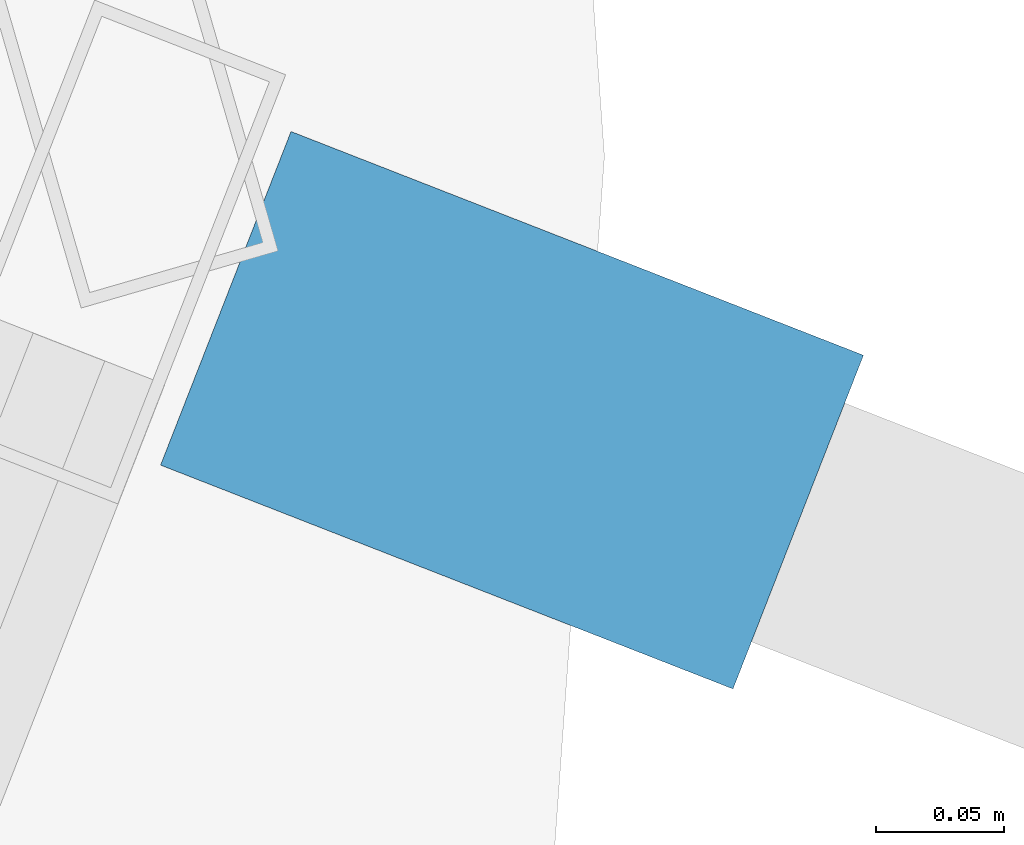
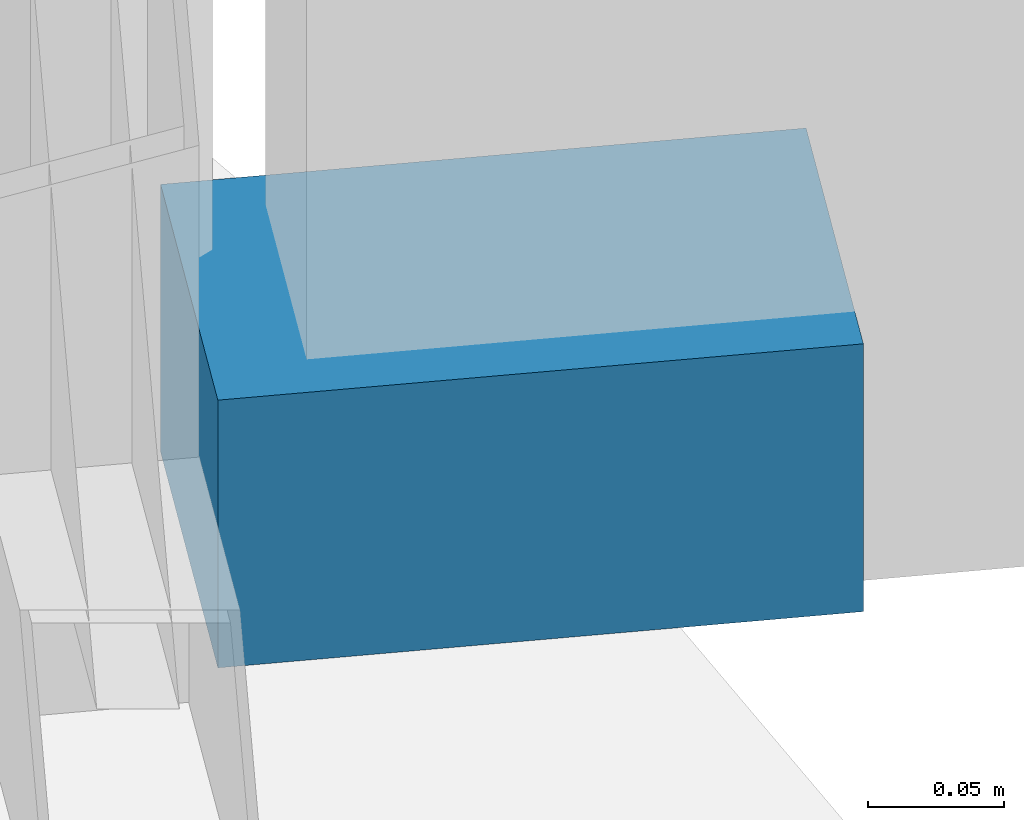
# One storey, part 30 of 34: 1 discrete accessory.
"""IFC4 building model written with IfcOpenShell, lengths in metres."""

import ifcopenshell
import ifcopenshell.guid

model = None  # the IFC model being written
_history = None  # IfcOwnerHistory: only IFC2X3 demands one
_inside = {}  # id of a spatial element -> (the spatial element, [elements in it])
_under = {}  # id of a project, library or spatial element -> (it, [spatial elements below it])
_declared = {}  # id of a project -> (the project, [libraries it declares])
_typed = {}  # id of a type object -> (the type object, [elements of that type])
_made_of = {}  # id of a material, layer set ... -> (it, [elements and type objects made of it])


def new_model(schema):
    """Start an empty IFC model of exactly this schema.

    Asked for "IFC4X3", IfcOpenShell would pick the latest addendum, in which some entities
    have other attributes; the version numbers below select the first issue.
    IFC2X3 requires an IfcOwnerHistory on every rooted entity: one is made here for all.
    """
    global model, _history
    if schema == "IFC4X3":
        model = ifcopenshell.file(schema_version=(4, 3, 0, 0))
    else:
        model = ifcopenshell.file(schema=schema)
    _inside.clear()
    _under.clear()
    _declared.clear()
    _typed.clear()
    _made_of.clear()
    _history = None
    if model.schema == "IFC2X3":
        org = make("IfcOrganization", Name="unknown")
        user = make(
            "IfcPersonAndOrganization",
            ThePerson=make("IfcPerson", FamilyName="unknown"),
            TheOrganization=org,
        )
        app = make(
            "IfcApplication",
            ApplicationDeveloper=org,
            Version="unknown",
            ApplicationFullName="unknown",
            ApplicationIdentifier="unknown",
        )
        _history = make(
            "IfcOwnerHistory",
            OwningUser=user,
            OwningApplication=app,
            ChangeAction="ADDED",
            CreationDate=0,
        )
    return model


def make(cls, **values):
    """One entity of the class cls with the attributes given. An attribute that is None is left unset."""
    return model.create_entity(
        cls, **{name: value for name, value in values.items() if value is not None}
    )


def rooted(cls, **values):
    """An entity with a GlobalId (a new one), such as an element, a storey or a relation."""
    return make(cls, GlobalId=ifcopenshell.guid.new(), OwnerHistory=_history, **values)


def si_unit(unit_type, name, prefix=None):
    """IfcSIUnit, for example si_unit("LENGTHUNIT", "METRE", prefix="MILLI")."""
    return make("IfcSIUnit", UnitType=unit_type, Prefix=prefix, Name=name)


def assignment(units):
    """IfcUnitAssignment: the units of a project."""
    return None if units is None else make("IfcUnitAssignment", Units=units)


def point(xyz):
    """IfcCartesianPoint."""
    return None if xyz is None else make("IfcCartesianPoint", Coordinates=xyz)


def direction(xyz):
    """IfcDirection."""
    return None if xyz is None else make("IfcDirection", DirectionRatios=xyz)


def frame(location, z_axis=None, x_axis=None):
    """IfcAxis2Placement3D, a coordinate frame: its origin and axes. An axis left out is left unset."""
    return make(
        "IfcAxis2Placement3D",
        Location=point(location),
        Axis=direction(z_axis),
        RefDirection=direction(x_axis),
    )


def frame_2d(location, x_axis=None):
    """IfcAxis2Placement2D, a coordinate frame in the plane: its origin and x axis."""
    return make(
        "IfcAxis2Placement2D", Location=point(location), RefDirection=direction(x_axis)
    )


def origin():
    """The frame at (0, 0, 0) with its axes left unset."""
    return frame((0.0, 0.0, 0.0))


def origin_2d():
    """The frame at (0, 0) in the plane with its x axis left unset."""
    return frame_2d((0.0, 0.0))


def place(relative_to, where):
    """IfcLocalPlacement: puts the frame where relative to a parent placement (None: the world)."""
    return make(
        "IfcLocalPlacement", PlacementRelTo=relative_to, RelativePlacement=where
    )


def context(
    kind, dimensions, precision=None, world=None, true_north=None, identifier=None
):
    """IfcGeometricRepresentationContext, for example the 3D "Model" context."""
    return make(
        "IfcGeometricRepresentationContext",
        ContextIdentifier=identifier,
        ContextType=kind,
        CoordinateSpaceDimension=dimensions,
        Precision=precision,
        WorldCoordinateSystem=world,
        TrueNorth=true_north,
    )


def subcontext(parent, identifier, kind, view, scale=None):
    """IfcGeometricRepresentationSubContext, for example "Body" below "Model"."""
    return make(
        "IfcGeometricRepresentationSubContext",
        ContextIdentifier=identifier,
        ContextType=kind,
        ParentContext=parent,
        TargetScale=scale,
        TargetView=view,
    )


def project(units=None, contexts=None):
    """IfcProject with its units and contexts."""
    return rooted(
        "IfcProject",
        Name="project",
        RepresentationContexts=contexts,
        UnitsInContext=assignment(units),
    )


def spatial(cls, under=None, at=None, **own):
    """A site, building, storey or space (cls), placed at a placement, below another one or the project."""
    s = rooted(cls, ObjectPlacement=at, **own)
    if under is not None:
        _under.setdefault(under.id(), (under, []))[1].append(s)
    return s


def profile(cls, at=None, kind="AREA", **sizes):
    """A parametric profile (cls). Its sizes go by their IFC names, for example OverallWidth=200.0."""
    return make(cls, ProfileType=kind, Position=at, **sizes)


def rectangle(**sizes):
    """IfcRectangleProfileDef."""
    return profile("IfcRectangleProfileDef", **sizes)


def extrude(swept, where, along, depth):
    """IfcExtrudedAreaSolid: the profile swept, set in the frame where, extruded along a direction by depth."""
    return make(
        "IfcExtrudedAreaSolid",
        SweptArea=swept,
        Position=where,
        ExtrudedDirection=direction(along),
        Depth=depth,
    )


def shape(context_of_items, identifier, shape_type, items):
    """IfcShapeRepresentation: the items that make up one representation, for example the "Body"."""
    return make(
        "IfcShapeRepresentation",
        ContextOfItems=context_of_items,
        RepresentationIdentifier=identifier,
        RepresentationType=shape_type,
        Items=items,
    )


def material(Name=None, Category=None):
    """IfcMaterial."""
    return make("IfcMaterial", Name=Name, Category=Category)


def made_of(thing, what):
    """Note that an element or type object is made of a material, layer set ...; save() writes the relation."""
    if what is not None:
        _made_of.setdefault(what.id(), (what, []))[1].append(thing)
    return thing


def type_object(cls, material=None, **own):
    """A type object (cls), such as IfcWallType, which elements share."""
    return made_of(rooted(cls, **own), material)


def element(
    cls,
    number,
    at=None,
    inside=None,
    cuts=None,
    type_object=None,
    material=None,
    context=None,
    identifier="Body",
    shape_type=None,
    held_by="IfcProductDefinitionShape",
    body=None,
    shapes=None,
    **own,
):
    """One element of the class cls, such as IfcWall. Its Tag is "e" and its number.

    at: its placement. inside: the storey or other place that contains it. cuts: it is an
    opening in that element (IfcRelVoidsElement). A single representation is given by context,
    identifier, shape_type and body (its items); several are given by shapes. held_by: the class
    of the entity that holds the representations. save() writes the other relations.
    """
    e = rooted(cls, Tag="e%d" % number, ObjectPlacement=at, **own)
    if body is not None:
        shapes = [shape(context, identifier, shape_type, body)]
    if shapes is not None:
        e.Representation = make(held_by, Representations=shapes)
    if inside is not None:
        _inside.setdefault(inside.id(), (inside, []))[1].append(e)
    if cuts is not None:
        rooted(
            "IfcRelVoidsElement", RelatingBuildingElement=cuts, RelatedOpeningElement=e
        )
    if type_object is not None:
        _typed.setdefault(type_object.id(), (type_object, []))[1].append(e)
    return made_of(e, material)


def aggregate(whole, parts):
    """IfcRelAggregates: a whole, such as a stair, and the parts it consists of."""
    return rooted("IfcRelAggregates", RelatingObject=whole, RelatedObjects=parts)


def save(model, path):
    """Write the relations noted so far, then the file.

    IfcRelAggregates (storeys below a building ...), IfcRelContainedInSpatialStructure (elements
    in a storey), IfcRelDefinesByType, IfcRelAssociatesMaterial and IfcRelDeclares: one each for
    every whole, place, type object, material and project.
    """
    for whole, parts in _under.values():
        aggregate(whole, parts)
    for where, things in _inside.values():
        rooted(
            "IfcRelContainedInSpatialStructure",
            RelatedElements=things,
            RelatingStructure=where,
        )
    for kind, things in _typed.values():
        rooted("IfcRelDefinesByType", RelatedObjects=things, RelatingType=kind)
    for what, things in _made_of.values():
        rooted("IfcRelAssociatesMaterial", RelatedObjects=things, RelatingMaterial=what)
    for by, libraries in _declared.values():
        rooted("IfcRelDeclares", RelatingContext=by, RelatedDefinitions=libraries)
    model.write(path)


model = new_model("IFC4")

# Units and contexts
model_context = context("Model", 3, precision=1e-05, world=origin(), true_north=direction((0.0, 1.0)))
body_context = subcontext(model_context, "Body", "Model", "MODEL_VIEW")
ifc_project = project(units=[si_unit("LENGTHUNIT", "METRE"), si_unit("AREAUNIT", "SQUARE_METRE"), si_unit("VOLUMEUNIT", "CUBIC_METRE"), si_unit("PLANEANGLEUNIT", "RADIAN"), si_unit("MASSUNIT", "GRAM", prefix="KILO")], contexts=[model_context])

# Site, building, storey
site_placement = place(None, origin())
site = spatial("IfcSite", under=ifc_project, at=site_placement, CompositionType="ELEMENT")
building_placement = place(site_placement, origin())
building = spatial("IfcBuilding", under=site, at=building_placement, Name="Kazevale Care Tower and Concert Hall", CompositionType="ELEMENT")
storey_placement = place(building_placement, frame((0.0, 0.0, 167.39990234375)))
storey = spatial("IfcBuildingStorey", under=building, at=storey_placement, Name="L44", CompositionType="ELEMENT", Elevation=167.39990234375)

# Discrete accessory
ifc_material = material(Name="Stainless Steel 316", Category="steel")
discrete_accessory_type = type_object("IfcDiscreteAccessoryType", Name="Facade Fin Stainless Anchor Bracket BRK-1", PredefinedType="BRACKET", material=ifc_material)
discrete_accessory_placement = place(storey_placement, frame((79.36376953125, 37.90087890625, 0.0), z_axis=(0.0, 0.0, 1.0), x_axis=(0.931373876365, -0.364064146031, 0.0)))
element("IfcDiscreteAccessory", 1, at=discrete_accessory_placement, inside=storey, type_object=discrete_accessory_type, Name="cw:L44:f01:brk", PredefinedType="BRACKET", context=body_context, shape_type="SweptSolid", body=[
    extrude(rectangle(XDim=0.239990234375, YDim=0.139892578125, at=origin_2d()), origin(), (0.0, 0.0, 1.0), 0.1201171875),
])

save(model, "model.ifc")
